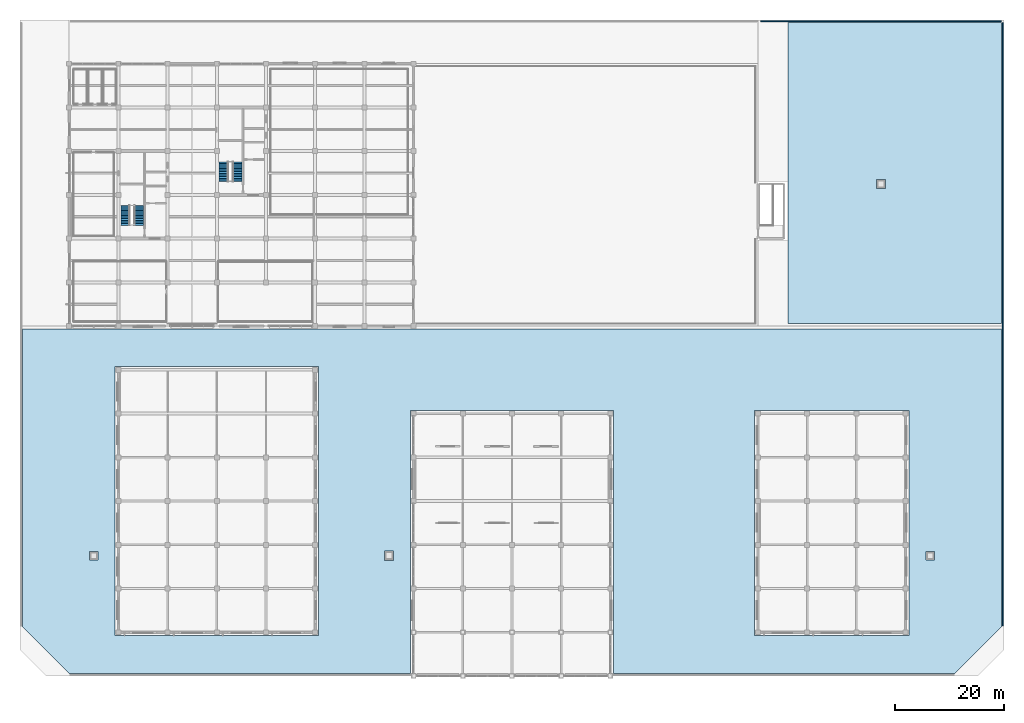
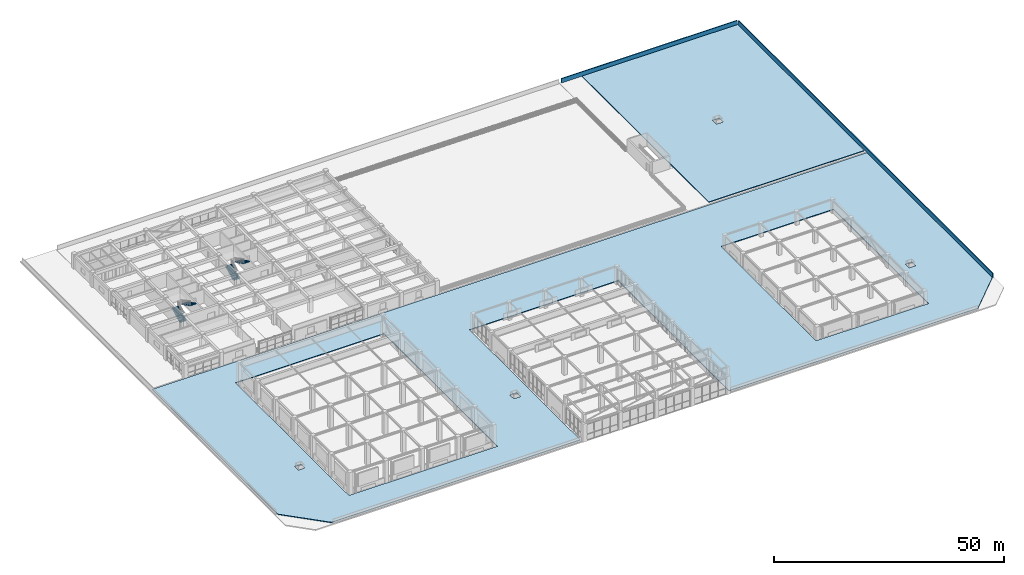
# One storey, part 25 of 34: 4 stair flights, 2 roofs, 2 walls, 2 elements without a shape of their own.
"""IFC4 building model written with IfcOpenShell, lengths in metres."""

from ifc_helpers import new_model, si_unit, direction, frame, frame_2d, origin, place, context, subcontext, project, spatial, polyline, rectangle, outline, extrude, material, layer, layer_set, type_object, element, aggregate, save


model = new_model("IFC4")

# Units and contexts
model_context = context("Model", 3, precision=1e-05, world=origin(), true_north=direction((0.0, 1.0)))
body_context = subcontext(model_context, "Body", "Model", "MODEL_VIEW")
ifc_project = project(units=[si_unit("LENGTHUNIT", "METRE"), si_unit("AREAUNIT", "SQUARE_METRE"), si_unit("VOLUMEUNIT", "CUBIC_METRE"), si_unit("PLANEANGLEUNIT", "RADIAN"), si_unit("MASSUNIT", "GRAM", prefix="KILO")], contexts=[model_context])

# Site, building, storey
site_placement = place(None, origin())
site = spatial("IfcSite", under=ifc_project, at=site_placement, CompositionType="ELEMENT")
building_placement = place(site_placement, origin())
building = spatial("IfcBuilding", under=site, at=building_placement, Name="Zaverband Oceanarium and Marine Research Institute", CompositionType="ELEMENT")
storey_placement = place(building_placement, frame((0.0, 0.0, 18.0)))
storey = spatial("IfcBuildingStorey", under=building, at=storey_placement, Name="L04", CompositionType="ELEMENT", Elevation=18.0)

# Walls
ifc_material = material(Name="Concrete C40/50", Category="concrete")
ifc_layer_1 = layer(ifc_material, 0.22998046875, Name="Concrete C40/50")
ifc_layer_set_1 = layer_set([ifc_layer_1], Name="Concrete C40/50")
wall_type = type_object("IfcWallType", Name="PAR-230", PredefinedType="PARAPET", material=ifc_layer_set_1)
wall_1_placement = place(storey_placement, frame((179.75, 9.199951171875, 0.0), z_axis=(0.0, 0.0, 1.0), x_axis=(0.0, 1.0, 0.0)))
element("IfcWall", 1, at=wall_1_placement, inside=storey, type_object=wall_type, Name="Roof parapet upstand PAR-230", PredefinedType="PARAPET", context=body_context, shape_type="SweptSolid", body=[
    extrude(rectangle(XDim=110.300048828125, YDim=0.22998046875, at=frame_2d((55.14990234375, 0.0))), origin(), (0.0, 0.0, 1.0), 1.14990234375),
])
wall_2_placement = place(storey_placement, frame((135.5, 119.75, 0.0), z_axis=(0.0, 0.0, 1.0), x_axis=(1.0, 0.0, 0.0)))
element("IfcWall", 2, at=wall_2_placement, inside=storey, type_object=wall_type, Name="Roof parapet upstand PAR-230", PredefinedType="PARAPET", context=body_context, shape_type="SweptSolid", body=[
    extrude(rectangle(XDim=44.0, YDim=0.22998046875, at=frame_2d((22.0, 0.0))), origin(), (0.0, 0.0, 1.0), 1.14990234375),
])

# Stair, stair flights
stair_type = type_object("IfcStairType", Name="STR-TWR-1650-3900", PredefinedType="HALF_TURN_STAIR", material=ifc_material)
stair_1_placement = place(storey_placement, origin())
stair_1 = element("IfcStair", 3, at=stair_1_placement, inside=storey, type_object=stair_type, Name="Exit Stair ST-01 (L04)", PredefinedType="HALF_TURN_STAIR")
stair_flight_type = type_object("IfcStairFlightType", Name="STR-TWR-1650-3900-FL", PredefinedType="STRAIGHT", material=ifc_material)
stair_flight_1_placement = place(storey_placement, frame((19.2548828125, 82.449951171875, 0.0), z_axis=(0.0, 0.0, 1.0), x_axis=(0.0, 1.0, 0.0)))
stair_flight_1 = element("IfcStairFlight", 4, at=stair_flight_1_placement, type_object=stair_flight_type, Name="Reinforced concrete stair flight ST-01-F1", NumberOfRisers=13, NumberOfTreads=12, PredefinedType="STRAIGHT", RiserHeight=0.15, TreadLength=0.3, context=body_context, shape_type="SweptSolid", body=[
    extrude(outline(polyline([(0.0, 0.0), (0.0, 0.14990234375), (0.300048828125, 0.14990234375), (0.300048828125, 0.300048828125), (0.60009765625, 0.300048828125), (0.60009765625, 0.449951171875), (0.89990234375, 0.449951171875), (0.89990234375, 0.60009765625), (1.199951171875, 0.60009765625), (1.199951171875, 0.75), (1.5, 0.75), (1.5, 0.89990234375), (1.800048828125, 0.89990234375), (1.800048828125, 1.050048828125), (2.10009765625, 1.050048828125), (2.10009765625, 1.199951171875), (2.39990234375, 1.199951171875), (2.39990234375, 1.35009765625), (2.699951171875, 1.35009765625), (2.699951171875, 1.5), (3.0, 1.5), (3.0, 1.64990234375), (3.300048828125, 1.64990234375), (3.300048828125, 1.800048828125), (3.60009765625, 1.800048828125), (3.60009765625, 1.949951171875), (3.60009765625, 1.598876953125), (0.40234375, 0.0), (0.0, 0.0)])), frame((0.0, 0.824951171875, 0.0), z_axis=(0.0, -1.0, 0.0), x_axis=(1.0, 0.0, 0.0)), (0.0, 0.0, 1.0), 1.64990234375),
])
stair_flight_2_placement = place(storey_placement, frame((21.7451171875, 86.050048828125, 1.949951171875), z_axis=(0.0, 0.0, 1.0), x_axis=(0.0, -1.0, 0.0)))
stair_flight_2 = element("IfcStairFlight", 5, at=stair_flight_2_placement, type_object=stair_flight_type, Name="Reinforced concrete stair flight ST-01-F2", NumberOfRisers=13, NumberOfTreads=12, PredefinedType="STRAIGHT", RiserHeight=0.15, TreadLength=0.3, context=body_context, shape_type="SweptSolid", body=[
    extrude(outline(polyline([(0.0, 0.0), (0.0, 0.14990234375), (0.300048828125, 0.14990234375), (0.300048828125, 0.300048828125), (0.60009765625, 0.300048828125), (0.60009765625, 0.449951171875), (0.89990234375, 0.449951171875), (0.89990234375, 0.60009765625), (1.199951171875, 0.60009765625), (1.199951171875, 0.75), (1.5, 0.75), (1.5, 0.89990234375), (1.800048828125, 0.89990234375), (1.800048828125, 1.050048828125), (2.10009765625, 1.050048828125), (2.10009765625, 1.199951171875), (2.39990234375, 1.199951171875), (2.39990234375, 1.35009765625), (2.699951171875, 1.35009765625), (2.699951171875, 1.5), (3.0, 1.5), (3.0, 1.64990234375), (3.300048828125, 1.64990234375), (3.300048828125, 1.800048828125), (3.60009765625, 1.800048828125), (3.60009765625, 1.949951171875), (3.60009765625, 1.598876953125), (0.40234375, 0.0), (0.0, 0.0)])), frame((0.0, 0.824951171875, 0.0), z_axis=(0.0, -1.0, 0.0), x_axis=(1.0, 0.0, 0.0)), (0.0, 0.0, 1.0), 1.64990234375),
])
aggregate(stair_1, [stair_flight_1, stair_flight_2])

stair_2_placement = place(storey_placement, origin())
stair_2 = element("IfcStair", 6, at=stair_2_placement, inside=storey, type_object=stair_type, Name="Exit Stair ST-02 (L04)", PredefinedType="HALF_TURN_STAIR")
stair_flight_3_placement = place(storey_placement, frame((37.2548828125, 90.449951171875, 0.0), z_axis=(0.0, 0.0, 1.0), x_axis=(0.0, 1.0, 0.0)))
stair_flight_3 = element("IfcStairFlight", 7, at=stair_flight_3_placement, type_object=stair_flight_type, Name="Reinforced concrete stair flight ST-02-F1", NumberOfRisers=13, NumberOfTreads=12, PredefinedType="STRAIGHT", RiserHeight=0.15, TreadLength=0.3, context=body_context, shape_type="SweptSolid", body=[
    extrude(outline(polyline([(0.0, 0.0), (0.0, 0.14990234375), (0.300048828125, 0.14990234375), (0.300048828125, 0.300048828125), (0.60009765625, 0.300048828125), (0.60009765625, 0.449951171875), (0.89990234375, 0.449951171875), (0.89990234375, 0.60009765625), (1.199951171875, 0.60009765625), (1.199951171875, 0.75), (1.5, 0.75), (1.5, 0.89990234375), (1.800048828125, 0.89990234375), (1.800048828125, 1.050048828125), (2.10009765625, 1.050048828125), (2.10009765625, 1.199951171875), (2.39990234375, 1.199951171875), (2.39990234375, 1.35009765625), (2.699951171875, 1.35009765625), (2.699951171875, 1.5), (3.0, 1.5), (3.0, 1.64990234375), (3.300048828125, 1.64990234375), (3.300048828125, 1.800048828125), (3.60009765625, 1.800048828125), (3.60009765625, 1.949951171875), (3.60009765625, 1.598876953125), (0.40234375, 0.0), (0.0, 0.0)])), frame((0.0, 0.824951171875, 0.0), z_axis=(0.0, -1.0, 0.0), x_axis=(1.0, 0.0, 0.0)), (0.0, 0.0, 1.0), 1.64990234375),
])
stair_flight_4_placement = place(storey_placement, frame((39.7451171875, 94.050048828125, 1.949951171875), z_axis=(0.0, 0.0, 1.0), x_axis=(0.0, -1.0, 0.0)))
stair_flight_4 = element("IfcStairFlight", 8, at=stair_flight_4_placement, type_object=stair_flight_type, Name="Reinforced concrete stair flight ST-02-F2", NumberOfRisers=13, NumberOfTreads=12, PredefinedType="STRAIGHT", RiserHeight=0.15, TreadLength=0.3, context=body_context, shape_type="SweptSolid", body=[
    extrude(outline(polyline([(0.0, 0.0), (0.0, 0.14990234375), (0.300048828125, 0.14990234375), (0.300048828125, 0.300048828125), (0.60009765625, 0.300048828125), (0.60009765625, 0.449951171875), (0.89990234375, 0.449951171875), (0.89990234375, 0.60009765625), (1.199951171875, 0.60009765625), (1.199951171875, 0.75), (1.5, 0.75), (1.5, 0.89990234375), (1.800048828125, 0.89990234375), (1.800048828125, 1.050048828125), (2.10009765625, 1.050048828125), (2.10009765625, 1.199951171875), (2.39990234375, 1.199951171875), (2.39990234375, 1.35009765625), (2.699951171875, 1.35009765625), (2.699951171875, 1.5), (3.0, 1.5), (3.0, 1.64990234375), (3.300048828125, 1.64990234375), (3.300048828125, 1.800048828125), (3.60009765625, 1.800048828125), (3.60009765625, 1.949951171875), (3.60009765625, 1.598876953125), (0.40234375, 0.0), (0.0, 0.0)])), frame((0.0, 0.824951171875, 0.0), z_axis=(0.0, -1.0, 0.0), x_axis=(1.0, 0.0, 0.0)), (0.0, 0.0, 1.0), 1.64990234375),
])
aggregate(stair_2, [stair_flight_3, stair_flight_4])

# Roofs
ifc_layer_2 = layer(ifc_material, 0.179931640625, Name="Concrete C40/50")
ifc_layer_set_2 = layer_set([ifc_layer_2], Name="Concrete C40/50")
roof_type_1 = type_object("IfcRoofType", Name="RF-FLAT", PredefinedType="FLAT_ROOF", material=ifc_layer_set_2)
roof_1_placement = place(storey_placement, origin())
element("IfcRoof", 9, at=roof_1_placement, inside=storey, type_object=roof_type_1, Name="Insulated flat roof assembly RF-FLAT", PredefinedType="FLAT_ROOF", context=body_context, shape_type="SweptSolid", body=[
    extrude(outline(polyline([(140.5, 119.5), (179.5, 119.5), (179.5, 64.5), (140.5, 64.5), (140.5, 119.5)]), holes=[polyline([(156.64990234375, 90.85009765625), (156.64990234375, 89.14990234375), (158.35009765625, 89.14990234375), (158.35009765625, 90.85009765625), (156.64990234375, 90.85009765625)])]), origin(), (0.0, 0.0, 1.0), 0.179931640625),
])
ifc_layer_3 = layer(ifc_material, 0.179931640625, Name="Concrete C40/50")
ifc_layer_set_3 = layer_set([ifc_layer_3], Name="Concrete C40/50")
roof_type_2 = type_object("IfcRoofType", Name="RF-SHED", PredefinedType="SHED_ROOF", material=ifc_layer_set_3)
roof_2_placement = place(storey_placement, origin())
element("IfcRoof", 10, at=roof_2_placement, inside=storey, type_object=roof_type_2, Name="Ventilated Afro-modernist pitched roof assembly RF-SHED", PredefinedType="SHED_ROOF", context=body_context, shape_type="SweptSolid", body=[
    extrude(outline(polyline([(9.0, 0.5), (0.5, 9.0), (0.5, 63.5), (179.5, 63.5), (179.5, 9.0), (171.0, 0.5), (108.60009765625, 0.5), (108.60009765625, 48.60009765625), (71.39990234375, 48.60009765625), (71.39990234375, 0.5), (9.0, 0.5)]), holes=[polyline([(12.699951171875, 22.800048828125), (12.699951171875, 21.199951171875), (14.300048828125, 21.199951171875), (14.300048828125, 22.800048828125), (12.699951171875, 22.800048828125)]), polyline([(68.35009765625, 22.85009765625), (66.64990234375, 22.85009765625), (66.64990234375, 21.14990234375), (68.35009765625, 21.14990234375), (68.35009765625, 22.85009765625)]), polyline([(167.300048828125, 22.800048828125), (165.699951171875, 22.800048828125), (165.699951171875, 21.199951171875), (167.300048828125, 21.199951171875), (167.300048828125, 22.800048828125)]), polyline([(162.60009765625, 48.60009765625), (134.39990234375, 48.60009765625), (134.39990234375, 7.39990234375), (162.60009765625, 7.39990234375), (162.60009765625, 48.60009765625)]), polyline([(54.60009765625, 56.60009765625), (17.39990234375, 56.60009765625), (17.39990234375, 7.39990234375), (54.60009765625, 7.39990234375), (54.60009765625, 56.60009765625)])]), origin(), (0.0, 0.0, 1.0), 0.179931640625),
])

save(model, "model.ifc")
